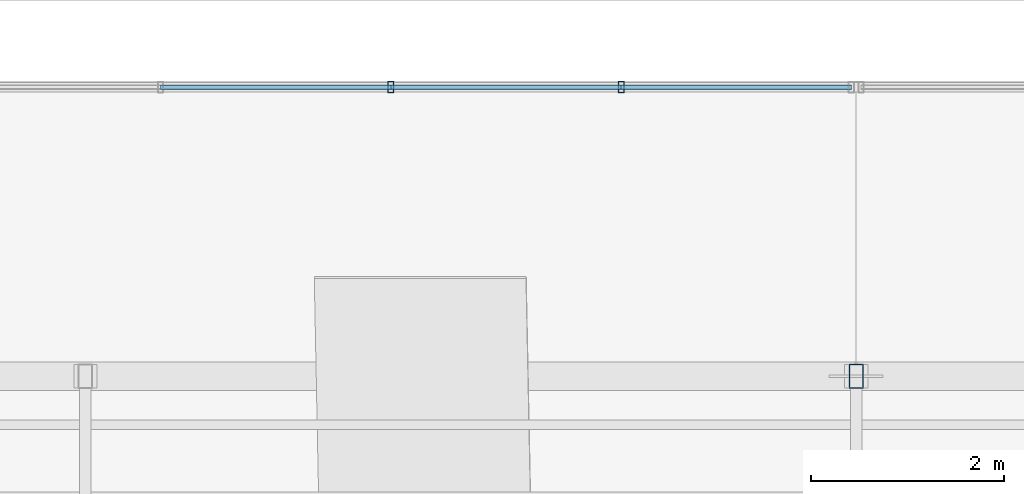
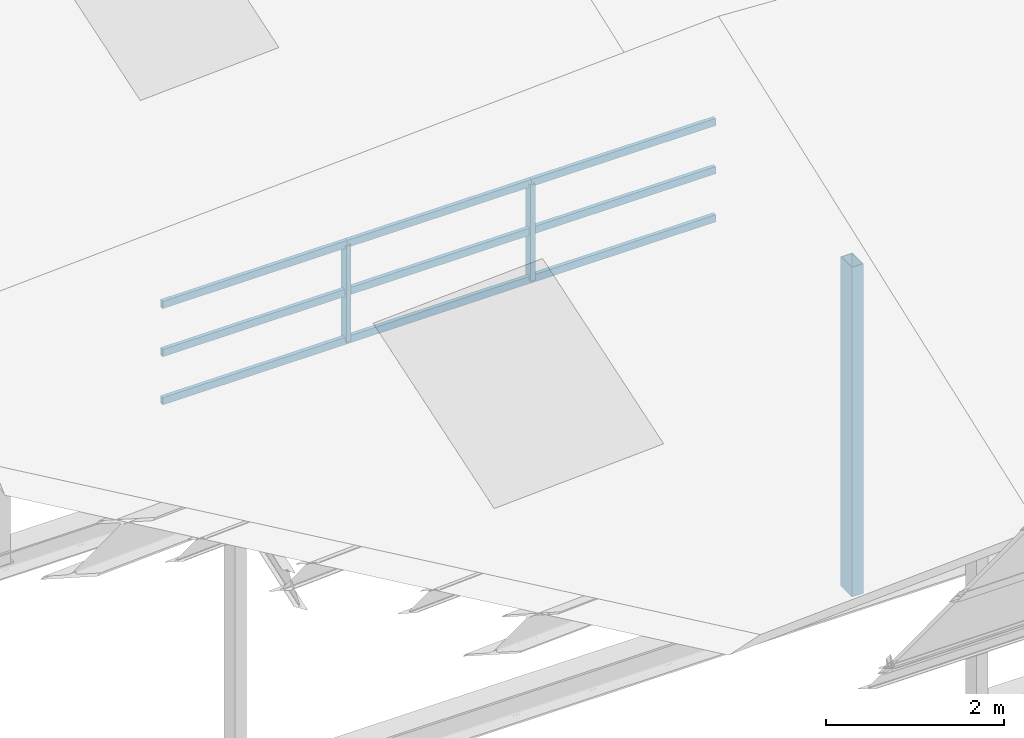
# One storey, part 37 of 141: 12 members, 1 element without a shape of its own.
"""IFC4 building model written with IfcOpenShell, lengths in metres."""

from ifc_helpers import new_model, si_unit, direction, frame, origin, origin_2d, place, context, subcontext, project, spatial, hollow_rectangle, extrude, material, material_profile, profile_set, type_object, element, aggregate, save


model = new_model("IFC4")

# Units and contexts
model_context = context("Model", 3, precision=1e-05, world=origin(), true_north=direction((0.0, 1.0)))
body_context = subcontext(model_context, "Body", "Model", "MODEL_VIEW")
ifc_project = project(units=[si_unit("LENGTHUNIT", "METRE"), si_unit("AREAUNIT", "SQUARE_METRE"), si_unit("VOLUMEUNIT", "CUBIC_METRE"), si_unit("PLANEANGLEUNIT", "RADIAN"), si_unit("MASSUNIT", "GRAM", prefix="KILO")], contexts=[model_context])

# Site, building, storey
site_placement = place(None, origin())
site = spatial("IfcSite", under=ifc_project, at=site_placement, CompositionType="ELEMENT")
building_placement = place(site_placement, origin())
building = spatial("IfcBuilding", under=site, at=building_placement, Name="Sundkrona Museum", CompositionType="ELEMENT")
storey_placement = place(building_placement, frame((0.0, 0.0, 34.0)))
storey = spatial("IfcBuildingStorey", under=building, at=storey_placement, Name="RF", CompositionType="ELEMENT", Elevation=34.0)

# Curtain wall, members
ifc_material_1 = material(Name="Unitised Aluminium-Steel and Ceramic-Clad Curtain Walling", Category="steel")
curtain_wall_type = type_object("IfcCurtainWallType", Name="CW-SW-240x13", PredefinedType="NOTDEFINED", material=ifc_material_1)
curtain_wall_placement = place(storey_placement, origin())
curtain_wall = element("IfcCurtainWall", 1, at=curtain_wall_placement, inside=storey, type_object=curtain_wall_type, Name="Sawtooth Bay 3 West North-Light Clerestory", PredefinedType="NOTDEFINED")
ifc_material_2 = material(Name="Aluminium EN AW-6060 T66", Category="aluminium")
ifc_material_profile_1 = material_profile(ifc_material_2, hollow_rectangle(XDim=0.06005859375, YDim=0.1201171875, WallThickness=0.0048828125, at=origin_2d()), Name="RHS 120x60x5.0")
ifc_profile_set_1 = profile_set([ifc_material_profile_1], Name="Aluminium EN AW-6060 T66")
member_type_1 = type_object("IfcMemberType", Name="ML-120", PredefinedType="MULLION", material=ifc_profile_set_1)
member_1_placement = place(storey_placement, frame((139.169921875, 18.39990234375, 3.052978515625), z_axis=(0.0, 0.0, 1.0), x_axis=(1.0, 0.0, 0.0)))
member_1 = element("IfcMember", 2, at=member_1_placement, type_object=member_type_1, Name="CW-RF-SAW-03W Mullion 09", PredefinedType="MULLION", context=body_context, shape_type="SweptSolid", body=[
    extrude(hollow_rectangle(XDim=0.06005859375, YDim=0.1201171875, WallThickness=0.0048828125, at=origin_2d()), origin(), (0.0, 0.0, 1.0), 1.320068359375),
])
member_2_placement = place(storey_placement, frame((141.56005859375, 18.39990234375, 3.052978515625), z_axis=(0.0, 0.0, 1.0), x_axis=(1.0, 0.0, 0.0)))
member_2 = element("IfcMember", 3, at=member_2_placement, type_object=member_type_1, Name="CW-RF-SAW-03W Mullion 10", PredefinedType="MULLION", context=body_context, shape_type="SweptSolid", body=[
    extrude(hollow_rectangle(XDim=0.06005859375, YDim=0.1201171875, WallThickness=0.0048828125, at=origin_2d()), origin(), (0.0, 0.0, 1.0), 1.320068359375),
])

# Member
ifc_material_3 = material(Name="Steel S355J2", Category="steel")
ifc_material_profile_2 = material_profile(ifc_material_3, hollow_rectangle(XDim=0.14990234375, YDim=0.25, WallThickness=0.010009765625, at=origin_2d()), Name="RHS 250x150x10.0")
ifc_profile_set_2 = profile_set([ifc_material_profile_2], Name="Steel S355J2")
member_type_2 = type_object("IfcMemberType", Name="ST-RHS250", PredefinedType="STRUT", material=ifc_profile_set_2)
member_3_placement = place(storey_placement, frame((144.0, 15.39990234375, -0.25), z_axis=(0.0, 0.0, 1.0), x_axis=(1.0, 0.0, 0.0)))
element("IfcMember", 4, at=member_3_placement, inside=storey, type_object=member_type_2, Name="RFS-1 Sawtooth Truss 3 Vertical Post 4", PredefinedType="STRUT", context=body_context, shape_type="SweptSolid", body=[
    extrude(hollow_rectangle(XDim=0.14990234375, YDim=0.25, WallThickness=0.010009765625, at=origin_2d()), origin(), (0.0, 0.0, 1.0), 4.515869140625),
])

ifc_material_profile_3 = material_profile(ifc_material_2, hollow_rectangle(XDim=0.050048828125, YDim=0.10009765625, WallThickness=0.0048828125, at=origin_2d()), Name="RHS 100x50x5.0")
ifc_profile_set_3 = profile_set([ifc_material_profile_3], Name="Aluminium EN AW-6060 T66")
member_type_3 = type_object("IfcMemberType", Name="TR-100", PredefinedType="USERDEFINED", material=ifc_profile_set_3)
member_4_placement = place(storey_placement, frame((136.780029296875, 18.39990234375, 3.052978515625), z_axis=(1.0, 0.0, 0.0), x_axis=(0.0, 1.0, 0.0)))
member_4 = element("IfcMember", 5, at=member_4_placement, type_object=member_type_3, Name="CW-RF-SAW-03W Transom 22", ObjectType="TRANSOM", PredefinedType="USERDEFINED", context=body_context, shape_type="SweptSolid", body=[
    extrude(hollow_rectangle(XDim=0.050048828125, YDim=0.10009765625, WallThickness=0.0048828125, at=origin_2d()), origin(), (0.0, 0.0, 1.0), 2.389892578125),
])

member_5_placement = place(storey_placement, frame((136.780029296875, 18.39990234375, 3.712890625), z_axis=(1.0, 0.0, 0.0), x_axis=(0.0, 1.0, 0.0)))
member_5 = element("IfcMember", 6, at=member_5_placement, type_object=member_type_3, Name="CW-RF-SAW-03W Transom 23", ObjectType="TRANSOM", PredefinedType="USERDEFINED", context=body_context, shape_type="SweptSolid", body=[
    extrude(hollow_rectangle(XDim=0.050048828125, YDim=0.10009765625, WallThickness=0.0048828125, at=origin_2d()), origin(), (0.0, 0.0, 1.0), 2.389892578125),
])

member_6_placement = place(storey_placement, frame((136.780029296875, 18.39990234375, 4.373046875), z_axis=(1.0, 0.0, 0.0), x_axis=(0.0, 1.0, 0.0)))
member_6 = element("IfcMember", 7, at=member_6_placement, type_object=member_type_3, Name="CW-RF-SAW-03W Transom 24", ObjectType="TRANSOM", PredefinedType="USERDEFINED", context=body_context, shape_type="SweptSolid", body=[
    extrude(hollow_rectangle(XDim=0.050048828125, YDim=0.10009765625, WallThickness=0.0048828125, at=origin_2d()), origin(), (0.0, 0.0, 1.0), 2.389892578125),
])

member_7_placement = place(storey_placement, frame((139.169921875, 18.39990234375, 3.052978515625), z_axis=(1.0, 0.0, 0.0), x_axis=(0.0, 1.0, 0.0)))
member_7 = element("IfcMember", 8, at=member_7_placement, type_object=member_type_3, Name="CW-RF-SAW-03W Transom 25", ObjectType="TRANSOM", PredefinedType="USERDEFINED", context=body_context, shape_type="SweptSolid", body=[
    extrude(hollow_rectangle(XDim=0.050048828125, YDim=0.10009765625, WallThickness=0.0048828125, at=origin_2d()), origin(), (0.0, 0.0, 1.0), 2.39013671875),
])

member_8_placement = place(storey_placement, frame((139.169921875, 18.39990234375, 3.712890625), z_axis=(1.0, 0.0, 0.0), x_axis=(0.0, 1.0, 0.0)))
member_8 = element("IfcMember", 9, at=member_8_placement, type_object=member_type_3, Name="CW-RF-SAW-03W Transom 26", ObjectType="TRANSOM", PredefinedType="USERDEFINED", context=body_context, shape_type="SweptSolid", body=[
    extrude(hollow_rectangle(XDim=0.050048828125, YDim=0.10009765625, WallThickness=0.0048828125, at=origin_2d()), origin(), (0.0, 0.0, 1.0), 2.39013671875),
])

member_9_placement = place(storey_placement, frame((139.169921875, 18.39990234375, 4.373046875), z_axis=(1.0, 0.0, 0.0), x_axis=(0.0, 1.0, 0.0)))
member_9 = element("IfcMember", 10, at=member_9_placement, type_object=member_type_3, Name="CW-RF-SAW-03W Transom 27", ObjectType="TRANSOM", PredefinedType="USERDEFINED", context=body_context, shape_type="SweptSolid", body=[
    extrude(hollow_rectangle(XDim=0.050048828125, YDim=0.10009765625, WallThickness=0.0048828125, at=origin_2d()), origin(), (0.0, 0.0, 1.0), 2.39013671875),
])

member_10_placement = place(storey_placement, frame((141.56005859375, 18.39990234375, 3.052978515625), z_axis=(1.0, 0.0, 0.0), x_axis=(0.0, 1.0, 0.0)))
member_10 = element("IfcMember", 11, at=member_10_placement, type_object=member_type_3, Name="CW-RF-SAW-03W Transom 28", ObjectType="TRANSOM", PredefinedType="USERDEFINED", context=body_context, shape_type="SweptSolid", body=[
    extrude(hollow_rectangle(XDim=0.050048828125, YDim=0.10009765625, WallThickness=0.0048828125, at=origin_2d()), origin(), (0.0, 0.0, 1.0), 2.389892578125),
])

member_11_placement = place(storey_placement, frame((141.56005859375, 18.39990234375, 3.712890625), z_axis=(1.0, 0.0, 0.0), x_axis=(0.0, 1.0, 0.0)))
member_11 = element("IfcMember", 12, at=member_11_placement, type_object=member_type_3, Name="CW-RF-SAW-03W Transom 29", ObjectType="TRANSOM", PredefinedType="USERDEFINED", context=body_context, shape_type="SweptSolid", body=[
    extrude(hollow_rectangle(XDim=0.050048828125, YDim=0.10009765625, WallThickness=0.0048828125, at=origin_2d()), origin(), (0.0, 0.0, 1.0), 2.389892578125),
])

member_12_placement = place(storey_placement, frame((141.56005859375, 18.39990234375, 4.373046875), z_axis=(1.0, 0.0, 0.0), x_axis=(0.0, 1.0, 0.0)))
member_12 = element("IfcMember", 13, at=member_12_placement, type_object=member_type_3, Name="CW-RF-SAW-03W Transom 30", ObjectType="TRANSOM", PredefinedType="USERDEFINED", context=body_context, shape_type="SweptSolid", body=[
    extrude(hollow_rectangle(XDim=0.050048828125, YDim=0.10009765625, WallThickness=0.0048828125, at=origin_2d()), origin(), (0.0, 0.0, 1.0), 2.389892578125),
])

aggregate(curtain_wall, [member_1, member_2, member_4, member_5, member_6, member_7, member_8, member_9, member_10, member_11, member_12])

save(model, "model.ifc")
